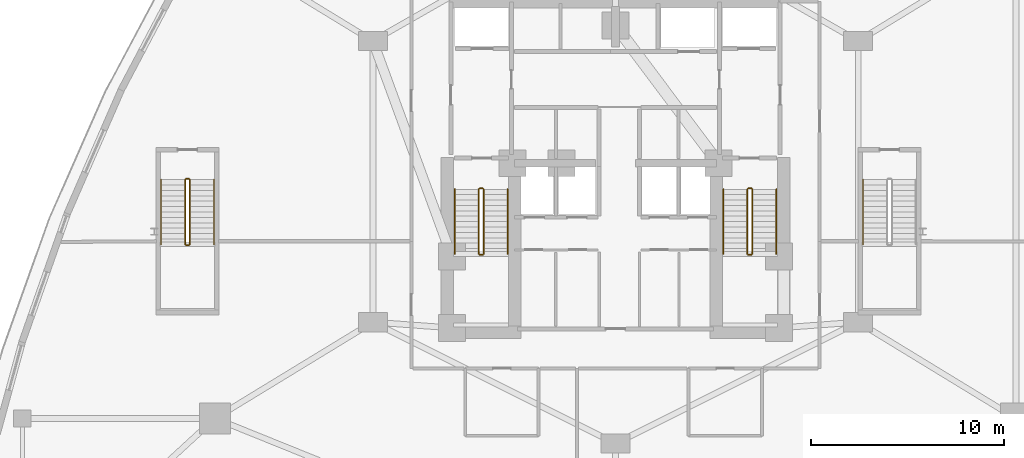
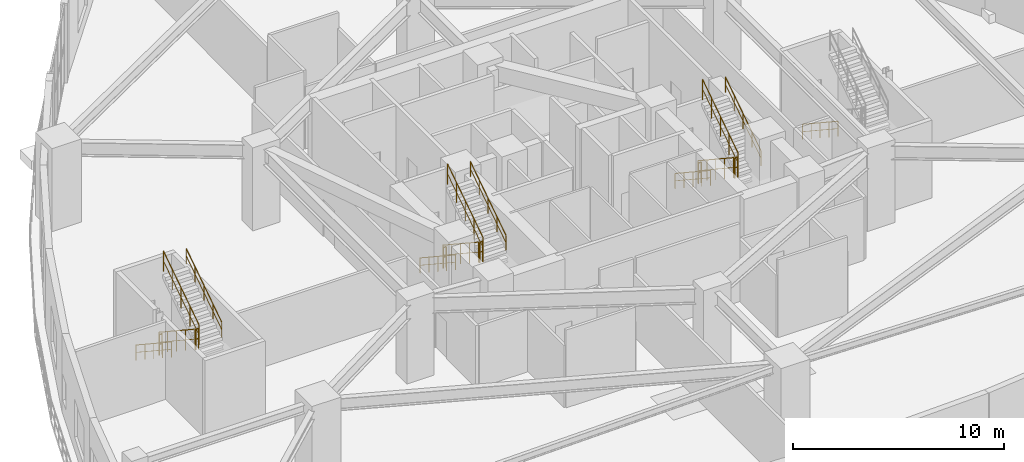
# One storey, part 20 of 23: 19 railings.
"""IFC4 building model written with IfcOpenShell, lengths in metres."""

from ifc_helpers import new_model, si_unit, direction, frame, origin, origin_2d, place, context, subcontext, project, spatial, circle, extrude, material, type_object, element, save


model = new_model("IFC4")

# Units and contexts
model_context = context("Model", 3, precision=1e-05, world=origin(), true_north=direction((0.0, 1.0)))
body_context = subcontext(model_context, "Body", "Model", "MODEL_VIEW")
ifc_project = project(units=[si_unit("LENGTHUNIT", "METRE"), si_unit("AREAUNIT", "SQUARE_METRE"), si_unit("VOLUMEUNIT", "CUBIC_METRE"), si_unit("PLANEANGLEUNIT", "RADIAN"), si_unit("MASSUNIT", "GRAM", prefix="KILO")], contexts=[model_context])

# Site, building, storey
site_placement = place(None, origin())
site = spatial("IfcSite", under=ifc_project, at=site_placement, CompositionType="ELEMENT")
building_placement = place(site_placement, origin())
building = spatial("IfcBuilding", under=site, at=building_placement, Name="Miruveldt Soraemaru", CompositionType="ELEMENT")
storey_placement = place(building_placement, frame((0.0, 0.0, 9.60009765625)))
storey = spatial("IfcBuildingStorey", under=building, at=storey_placement, Name="L03", CompositionType="ELEMENT", Elevation=9.60009765625)

# Railings
ifc_material = material(Name="Steel S355 (355 MPa)", Category="steel")
railing_type_1 = type_object("IfcRailingType", Name="RAIL-HR-900", PredefinedType="HANDRAIL", material=ifc_material)
railing_1_placement = place(storey_placement, frame((35.64990234375, 42.699951171875, 0.1845703125)))
element("IfcRailing", 1, at=railing_1_placement, inside=storey, type_object=railing_type_1, Name="L03 ST-1 stair handrail 1", PredefinedType="HANDRAIL", context=body_context, shape_type="SweptSolid", body=[
    extrude(circle(Radius=0.02392578125, at=origin_2d()), frame((0.0, 0.0, 0.8759765625), z_axis=(0.0, -0.834858096282, 0.550465220583), x_axis=(1.0, 0.0, 0.0)), (0.0, 0.0, 1.0), 4.0244140625),
    extrude(circle(Radius=0.01611328125, at=origin_2d()), frame((0.0, 0.0, 0.449951171875), z_axis=(0.0, -0.834858096282, 0.550465220583), x_axis=(1.0, 0.0, 0.0)), (0.0, 0.0, 1.0), 4.0244140625),
    extrude(circle(Radius=0.02099609375, at=origin_2d()), origin(), (0.0, 0.0, 1.0), 0.851806640625),
    extrude(circle(Radius=0.02099609375, at=origin_2d()), frame((0.0, -0.83984375, 0.5537109375)), (0.0, 0.0, 1.0), 0.851806640625),
    extrude(circle(Radius=0.02099609375, at=origin_2d()), frame((0.0, -1.679931640625, 1.107666015625)), (0.0, 0.0, 1.0), 0.851806640625),
    extrude(circle(Radius=0.02099609375, at=origin_2d()), frame((0.0, -2.52001953125, 1.66162109375)), (0.0, 0.0, 1.0), 0.851806640625),
    extrude(circle(Radius=0.02099609375, at=origin_2d()), frame((0.0, -3.35986328125, 2.21533203125)), (0.0, 0.0, 1.0), 0.851806640625),
])
railing_2_placement = place(storey_placement, frame((38.39990234375, 39.340087890625, 2.58447265625)))
element("IfcRailing", 2, at=railing_2_placement, inside=storey, type_object=railing_type_1, Name="L03 ST-1 stair handrail 2", PredefinedType="HANDRAIL", context=body_context, shape_type="SweptSolid", body=[
    extrude(circle(Radius=0.02392578125, at=origin_2d()), frame((0.0, 0.0, 0.8759765625), z_axis=(0.0, 0.834858096282, 0.550465220583), x_axis=(-1.0, 0.0, 0.0)), (0.0, 0.0, 1.0), 4.0244140625),
    extrude(circle(Radius=0.01611328125, at=origin_2d()), frame((0.0, 0.0, 0.449951171875), z_axis=(0.0, 0.834858096282, 0.550465220583), x_axis=(-1.0, 0.0, 0.0)), (0.0, 0.0, 1.0), 4.0244140625),
    extrude(circle(Radius=0.02099609375, at=origin_2d()), origin(), (0.0, 0.0, 1.0), 0.851806640625),
    extrude(circle(Radius=0.02099609375, at=origin_2d()), frame((0.0, 0.83984375, 0.5537109375)), (0.0, 0.0, 1.0), 0.851806640625),
    extrude(circle(Radius=0.02099609375, at=origin_2d()), frame((0.0, 1.679931640625, 1.107666015625)), (0.0, 0.0, 1.0), 0.851806640625),
    extrude(circle(Radius=0.02099609375, at=origin_2d()), frame((0.0, 2.52001953125, 1.66162109375)), (0.0, 0.0, 1.0), 0.851806640625),
    extrude(circle(Radius=0.02099609375, at=origin_2d()), frame((0.0, 3.35986328125, 2.21533203125)), (0.0, 0.0, 1.0), 0.851806640625),
])
railing_3_placement = place(storey_placement, frame((49.60009765625, 42.699951171875, 0.1845703125)))
element("IfcRailing", 3, at=railing_3_placement, inside=storey, type_object=railing_type_1, Name="L03 ST-2 stair handrail 1", PredefinedType="HANDRAIL", context=body_context, shape_type="SweptSolid", body=[
    extrude(circle(Radius=0.02392578125, at=origin_2d()), frame((0.0, 0.0, 0.8759765625), z_axis=(0.0, -0.834858096282, 0.550465220583), x_axis=(1.0, 0.0, 0.0)), (0.0, 0.0, 1.0), 4.0244140625),
    extrude(circle(Radius=0.01611328125, at=origin_2d()), frame((0.0, 0.0, 0.449951171875), z_axis=(0.0, -0.834858096282, 0.550465220583), x_axis=(1.0, 0.0, 0.0)), (0.0, 0.0, 1.0), 4.0244140625),
    extrude(circle(Radius=0.02099609375, at=origin_2d()), origin(), (0.0, 0.0, 1.0), 0.851806640625),
    extrude(circle(Radius=0.02099609375, at=origin_2d()), frame((0.0, -0.83984375, 0.5537109375)), (0.0, 0.0, 1.0), 0.851806640625),
    extrude(circle(Radius=0.02099609375, at=origin_2d()), frame((0.0, -1.679931640625, 1.107666015625)), (0.0, 0.0, 1.0), 0.851806640625),
    extrude(circle(Radius=0.02099609375, at=origin_2d()), frame((0.0, -2.52001953125, 1.66162109375)), (0.0, 0.0, 1.0), 0.851806640625),
    extrude(circle(Radius=0.02099609375, at=origin_2d()), frame((0.0, -3.35986328125, 2.21533203125)), (0.0, 0.0, 1.0), 0.851806640625),
])
railing_4_placement = place(storey_placement, frame((52.35009765625, 39.340087890625, 2.58447265625)))
element("IfcRailing", 4, at=railing_4_placement, inside=storey, type_object=railing_type_1, Name="L03 ST-2 stair handrail 2", PredefinedType="HANDRAIL", context=body_context, shape_type="SweptSolid", body=[
    extrude(circle(Radius=0.02392578125, at=origin_2d()), frame((0.0, 0.0, 0.8759765625), z_axis=(0.0, 0.834858096282, 0.550465220583), x_axis=(-1.0, 0.0, 0.0)), (0.0, 0.0, 1.0), 4.0244140625),
    extrude(circle(Radius=0.01611328125, at=origin_2d()), frame((0.0, 0.0, 0.449951171875), z_axis=(0.0, 0.834858096282, 0.550465220583), x_axis=(-1.0, 0.0, 0.0)), (0.0, 0.0, 1.0), 4.0244140625),
    extrude(circle(Radius=0.02099609375, at=origin_2d()), origin(), (0.0, 0.0, 1.0), 0.851806640625),
    extrude(circle(Radius=0.02099609375, at=origin_2d()), frame((0.0, 0.83984375, 0.5537109375)), (0.0, 0.0, 1.0), 0.851806640625),
    extrude(circle(Radius=0.02099609375, at=origin_2d()), frame((0.0, 1.679931640625, 1.107666015625)), (0.0, 0.0, 1.0), 0.851806640625),
    extrude(circle(Radius=0.02099609375, at=origin_2d()), frame((0.0, 2.52001953125, 1.66162109375)), (0.0, 0.0, 1.0), 0.851806640625),
    extrude(circle(Radius=0.02099609375, at=origin_2d()), frame((0.0, 3.35986328125, 2.21533203125)), (0.0, 0.0, 1.0), 0.851806640625),
])
railing_5_placement = place(storey_placement, frame((20.39990234375, 43.199951171875, 0.1845703125)))
element("IfcRailing", 5, at=railing_5_placement, inside=storey, type_object=railing_type_1, Name="L03 ST-3 stair handrail 1", PredefinedType="HANDRAIL", context=body_context, shape_type="SweptSolid", body=[
    extrude(circle(Radius=0.02392578125, at=origin_2d()), frame((0.0, 0.0, 0.8759765625), z_axis=(0.0, -0.834858096282, 0.550465220583), x_axis=(1.0, 0.0, 0.0)), (0.0, 0.0, 1.0), 4.0244140625),
    extrude(circle(Radius=0.01611328125, at=origin_2d()), frame((0.0, 0.0, 0.449951171875), z_axis=(0.0, -0.834858096282, 0.550465220583), x_axis=(1.0, 0.0, 0.0)), (0.0, 0.0, 1.0), 4.0244140625),
    extrude(circle(Radius=0.02099609375, at=origin_2d()), origin(), (0.0, 0.0, 1.0), 0.851806640625),
    extrude(circle(Radius=0.02099609375, at=origin_2d()), frame((0.0, -0.83984375, 0.5537109375)), (0.0, 0.0, 1.0), 0.851806640625),
    extrude(circle(Radius=0.02099609375, at=origin_2d()), frame((0.0, -1.679931640625, 1.107666015625)), (0.0, 0.0, 1.0), 0.851806640625),
    extrude(circle(Radius=0.02099609375, at=origin_2d()), frame((0.0, -2.52001953125, 1.66162109375)), (0.0, 0.0, 1.0), 0.851806640625),
    extrude(circle(Radius=0.02099609375, at=origin_2d()), frame((0.0, -3.35986328125, 2.21533203125)), (0.0, 0.0, 1.0), 0.851806640625),
])
railing_6_placement = place(storey_placement, frame((23.14990234375, 39.840087890625, 2.58447265625)))
element("IfcRailing", 6, at=railing_6_placement, inside=storey, type_object=railing_type_1, Name="L03 ST-3 stair handrail 2", PredefinedType="HANDRAIL", context=body_context, shape_type="SweptSolid", body=[
    extrude(circle(Radius=0.02392578125, at=origin_2d()), frame((0.0, 0.0, 0.8759765625), z_axis=(0.0, 0.834858096282, 0.550465220583), x_axis=(-1.0, 0.0, 0.0)), (0.0, 0.0, 1.0), 4.0244140625),
    extrude(circle(Radius=0.01611328125, at=origin_2d()), frame((0.0, 0.0, 0.449951171875), z_axis=(0.0, 0.834858096282, 0.550465220583), x_axis=(-1.0, 0.0, 0.0)), (0.0, 0.0, 1.0), 4.0244140625),
    extrude(circle(Radius=0.02099609375, at=origin_2d()), origin(), (0.0, 0.0, 1.0), 0.851806640625),
    extrude(circle(Radius=0.02099609375, at=origin_2d()), frame((0.0, 0.83984375, 0.5537109375)), (0.0, 0.0, 1.0), 0.851806640625),
    extrude(circle(Radius=0.02099609375, at=origin_2d()), frame((0.0, 1.679931640625, 1.107666015625)), (0.0, 0.0, 1.0), 0.851806640625),
    extrude(circle(Radius=0.02099609375, at=origin_2d()), frame((0.0, 2.52001953125, 1.66162109375)), (0.0, 0.0, 1.0), 0.851806640625),
    extrude(circle(Radius=0.02099609375, at=origin_2d()), frame((0.0, 3.35986328125, 2.21533203125)), (0.0, 0.0, 1.0), 0.851806640625),
])
railing_7_placement = place(storey_placement, frame((56.85009765625, 43.199951171875, 0.1845703125)))
element("IfcRailing", 7, at=railing_7_placement, inside=storey, type_object=railing_type_1, Name="L03 ST-4 stair handrail 1", PredefinedType="HANDRAIL", context=body_context, shape_type="SweptSolid", body=[
    extrude(circle(Radius=0.02392578125, at=origin_2d()), frame((0.0, 0.0, 0.8759765625), z_axis=(0.0, -0.834858096282, 0.550465220583), x_axis=(1.0, 0.0, 0.0)), (0.0, 0.0, 1.0), 4.0244140625),
    extrude(circle(Radius=0.01611328125, at=origin_2d()), frame((0.0, 0.0, 0.449951171875), z_axis=(0.0, -0.834858096282, 0.550465220583), x_axis=(1.0, 0.0, 0.0)), (0.0, 0.0, 1.0), 4.0244140625),
    extrude(circle(Radius=0.02099609375, at=origin_2d()), origin(), (0.0, 0.0, 1.0), 0.851806640625),
    extrude(circle(Radius=0.02099609375, at=origin_2d()), frame((0.0, -0.83984375, 0.5537109375)), (0.0, 0.0, 1.0), 0.851806640625),
    extrude(circle(Radius=0.02099609375, at=origin_2d()), frame((0.0, -1.679931640625, 1.107666015625)), (0.0, 0.0, 1.0), 0.851806640625),
    extrude(circle(Radius=0.02099609375, at=origin_2d()), frame((0.0, -2.52001953125, 1.66162109375)), (0.0, 0.0, 1.0), 0.851806640625),
    extrude(circle(Radius=0.02099609375, at=origin_2d()), frame((0.0, -3.35986328125, 2.21533203125)), (0.0, 0.0, 1.0), 0.851806640625),
])
railing_type_2 = type_object("IfcRailingType", Name="RAIL-STGUARD-1200", PredefinedType="GUARDRAIL", material=ifc_material)
railing_8_placement = place(storey_placement, frame((36.89990234375, 42.699951171875, 0.1845703125)))
element("IfcRailing", 8, at=railing_8_placement, inside=storey, type_object=railing_type_2, Name="L03 ST-1 stair guard 1", PredefinedType="GUARDRAIL", context=body_context, shape_type="SweptSolid", body=[
    extrude(circle(Radius=0.02392578125, at=origin_2d()), frame((0.0, 0.0, 1.17578125), z_axis=(0.0, -0.834858096282, 0.550465220583), x_axis=(1.0, 0.0, 0.0)), (0.0, 0.0, 1.0), 4.0244140625),
    extrude(circle(Radius=0.01611328125, at=origin_2d()), frame((0.0, 0.0, 0.60009765625), z_axis=(0.0, -0.834858096282, 0.550465220583), x_axis=(1.0, 0.0, 0.0)), (0.0, 0.0, 1.0), 4.0244140625),
    extrude(circle(Radius=0.02099609375, at=origin_2d()), origin(), (0.0, 0.0, 1.0), 1.15185546875),
    extrude(circle(Radius=0.02099609375, at=origin_2d()), frame((0.0, -0.83984375, 0.5537109375)), (0.0, 0.0, 1.0), 1.15185546875),
    extrude(circle(Radius=0.02099609375, at=origin_2d()), frame((0.0, -1.679931640625, 1.107666015625)), (0.0, 0.0, 1.0), 1.15185546875),
    extrude(circle(Radius=0.02099609375, at=origin_2d()), frame((0.0, -2.52001953125, 1.66162109375)), (0.0, 0.0, 1.0), 1.15185546875),
    extrude(circle(Radius=0.02099609375, at=origin_2d()), frame((0.0, -3.35986328125, 2.21533203125)), (0.0, 0.0, 1.0), 1.15185546875),
])
railing_9_placement = place(storey_placement, frame((36.949951171875, 39.2900390625, 2.39990234375)))
element("IfcRailing", 9, at=railing_9_placement, inside=storey, type_object=railing_type_2, Name="L03 ST-1 stair guard 2", PredefinedType="GUARDRAIL", context=body_context, shape_type="SweptSolid", body=[
    extrude(circle(Radius=0.02392578125, at=origin_2d()), frame((0.0, 0.0, 1.17578125), z_axis=(1.0, 0.0, 0.0), x_axis=(0.0, 1.0, 0.0)), (0.0, 0.0, 1.0), 0.150146484375),
    extrude(circle(Radius=0.01611328125, at=origin_2d()), frame((0.0, 0.0, 0.60009765625), z_axis=(1.0, 0.0, 0.0), x_axis=(0.0, 1.0, 0.0)), (0.0, 0.0, 1.0), 0.150146484375),
    extrude(circle(Radius=0.02099609375, at=origin_2d()), origin(), (0.0, 0.0, 1.0), 1.15185546875),
    extrude(circle(Radius=0.02099609375, at=origin_2d()), frame((0.150146484375, 0.0, 0.0)), (0.0, 0.0, 1.0), 1.15185546875),
])
railing_10_placement = place(storey_placement, frame((37.14990234375, 39.340087890625, 2.58447265625)))
element("IfcRailing", 10, at=railing_10_placement, inside=storey, type_object=railing_type_2, Name="L03 ST-1 stair guard 3", PredefinedType="GUARDRAIL", context=body_context, shape_type="SweptSolid", body=[
    extrude(circle(Radius=0.02392578125, at=origin_2d()), frame((0.0, 0.0, 1.17578125), z_axis=(0.0, 0.834858096282, 0.550465220583), x_axis=(-1.0, 0.0, 0.0)), (0.0, 0.0, 1.0), 4.0244140625),
    extrude(circle(Radius=0.01611328125, at=origin_2d()), frame((0.0, 0.0, 0.60009765625), z_axis=(0.0, 0.834858096282, 0.550465220583), x_axis=(-1.0, 0.0, 0.0)), (0.0, 0.0, 1.0), 4.0244140625),
    extrude(circle(Radius=0.02099609375, at=origin_2d()), origin(), (0.0, 0.0, 1.0), 1.15185546875),
    extrude(circle(Radius=0.02099609375, at=origin_2d()), frame((0.0, 0.83984375, 0.5537109375)), (0.0, 0.0, 1.0), 1.15185546875),
    extrude(circle(Radius=0.02099609375, at=origin_2d()), frame((0.0, 1.679931640625, 1.107666015625)), (0.0, 0.0, 1.0), 1.15185546875),
    extrude(circle(Radius=0.02099609375, at=origin_2d()), frame((0.0, 2.52001953125, 1.66162109375)), (0.0, 0.0, 1.0), 1.15185546875),
    extrude(circle(Radius=0.02099609375, at=origin_2d()), frame((0.0, 3.35986328125, 2.21533203125)), (0.0, 0.0, 1.0), 1.15185546875),
])
railing_11_placement = place(storey_placement, frame((36.949951171875, 42.75, 0.0)))
element("IfcRailing", 11, at=railing_11_placement, inside=storey, type_object=railing_type_2, Name="L03 ST-1 stair guard 4", PredefinedType="GUARDRAIL", context=body_context, shape_type="SweptSolid", body=[
    extrude(circle(Radius=0.02392578125, at=origin_2d()), frame((0.0, 0.0, 1.17578125), z_axis=(1.0, 0.0, 0.0), x_axis=(0.0, 1.0, 0.0)), (0.0, 0.0, 1.0), 0.150146484375),
    extrude(circle(Radius=0.01611328125, at=origin_2d()), frame((0.0, 0.0, 0.60009765625), z_axis=(1.0, 0.0, 0.0), x_axis=(0.0, 1.0, 0.0)), (0.0, 0.0, 1.0), 0.150146484375),
    extrude(circle(Radius=0.02099609375, at=origin_2d()), origin(), (0.0, 0.0, 1.0), 1.15185546875),
    extrude(circle(Radius=0.02099609375, at=origin_2d()), frame((0.150146484375, 0.0, 0.0)), (0.0, 0.0, 1.0), 1.15185546875),
])
railing_12_placement = place(storey_placement, frame((50.85009765625, 42.699951171875, 0.1845703125)))
element("IfcRailing", 12, at=railing_12_placement, inside=storey, type_object=railing_type_2, Name="L03 ST-2 stair guard 1", PredefinedType="GUARDRAIL", context=body_context, shape_type="SweptSolid", body=[
    extrude(circle(Radius=0.02392578125, at=origin_2d()), frame((0.0, 0.0, 1.17578125), z_axis=(0.0, -0.834858096282, 0.550465220583), x_axis=(1.0, 0.0, 0.0)), (0.0, 0.0, 1.0), 4.0244140625),
    extrude(circle(Radius=0.01611328125, at=origin_2d()), frame((0.0, 0.0, 0.60009765625), z_axis=(0.0, -0.834858096282, 0.550465220583), x_axis=(1.0, 0.0, 0.0)), (0.0, 0.0, 1.0), 4.0244140625),
    extrude(circle(Radius=0.02099609375, at=origin_2d()), origin(), (0.0, 0.0, 1.0), 1.15185546875),
    extrude(circle(Radius=0.02099609375, at=origin_2d()), frame((0.0, -0.83984375, 0.5537109375)), (0.0, 0.0, 1.0), 1.15185546875),
    extrude(circle(Radius=0.02099609375, at=origin_2d()), frame((0.0, -1.679931640625, 1.107666015625)), (0.0, 0.0, 1.0), 1.15185546875),
    extrude(circle(Radius=0.02099609375, at=origin_2d()), frame((0.0, -2.52001953125, 1.66162109375)), (0.0, 0.0, 1.0), 1.15185546875),
    extrude(circle(Radius=0.02099609375, at=origin_2d()), frame((0.0, -3.35986328125, 2.21533203125)), (0.0, 0.0, 1.0), 1.15185546875),
])
railing_13_placement = place(storey_placement, frame((50.89990234375, 39.2900390625, 2.39990234375)))
element("IfcRailing", 13, at=railing_13_placement, inside=storey, type_object=railing_type_2, Name="L03 ST-2 stair guard 2", PredefinedType="GUARDRAIL", context=body_context, shape_type="SweptSolid", body=[
    extrude(circle(Radius=0.02392578125, at=origin_2d()), frame((0.0, 0.0, 1.17578125), z_axis=(1.0, 0.0, 0.0), x_axis=(0.0, 1.0, 0.0)), (0.0, 0.0, 1.0), 0.150146484375),
    extrude(circle(Radius=0.01611328125, at=origin_2d()), frame((0.0, 0.0, 0.60009765625), z_axis=(1.0, 0.0, 0.0), x_axis=(0.0, 1.0, 0.0)), (0.0, 0.0, 1.0), 0.150146484375),
    extrude(circle(Radius=0.02099609375, at=origin_2d()), origin(), (0.0, 0.0, 1.0), 1.15185546875),
    extrude(circle(Radius=0.02099609375, at=origin_2d()), frame((0.150146484375, 0.0, 0.0)), (0.0, 0.0, 1.0), 1.15185546875),
])
railing_14_placement = place(storey_placement, frame((51.10009765625, 39.340087890625, 2.58447265625)))
element("IfcRailing", 14, at=railing_14_placement, inside=storey, type_object=railing_type_2, Name="L03 ST-2 stair guard 3", PredefinedType="GUARDRAIL", context=body_context, shape_type="SweptSolid", body=[
    extrude(circle(Radius=0.02392578125, at=origin_2d()), frame((0.0, 0.0, 1.17578125), z_axis=(0.0, 0.834858096282, 0.550465220583), x_axis=(-1.0, 0.0, 0.0)), (0.0, 0.0, 1.0), 4.0244140625),
    extrude(circle(Radius=0.01611328125, at=origin_2d()), frame((0.0, 0.0, 0.60009765625), z_axis=(0.0, 0.834858096282, 0.550465220583), x_axis=(-1.0, 0.0, 0.0)), (0.0, 0.0, 1.0), 4.0244140625),
    extrude(circle(Radius=0.02099609375, at=origin_2d()), origin(), (0.0, 0.0, 1.0), 1.15185546875),
    extrude(circle(Radius=0.02099609375, at=origin_2d()), frame((0.0, 0.83984375, 0.5537109375)), (0.0, 0.0, 1.0), 1.15185546875),
    extrude(circle(Radius=0.02099609375, at=origin_2d()), frame((0.0, 1.679931640625, 1.107666015625)), (0.0, 0.0, 1.0), 1.15185546875),
    extrude(circle(Radius=0.02099609375, at=origin_2d()), frame((0.0, 2.52001953125, 1.66162109375)), (0.0, 0.0, 1.0), 1.15185546875),
    extrude(circle(Radius=0.02099609375, at=origin_2d()), frame((0.0, 3.35986328125, 2.21533203125)), (0.0, 0.0, 1.0), 1.15185546875),
])
railing_15_placement = place(storey_placement, frame((50.89990234375, 42.75, 0.0)))
element("IfcRailing", 15, at=railing_15_placement, inside=storey, type_object=railing_type_2, Name="L03 ST-2 stair guard 4", PredefinedType="GUARDRAIL", context=body_context, shape_type="SweptSolid", body=[
    extrude(circle(Radius=0.02392578125, at=origin_2d()), frame((0.0, 0.0, 1.17578125), z_axis=(1.0, 0.0, 0.0), x_axis=(0.0, 1.0, 0.0)), (0.0, 0.0, 1.0), 0.150146484375),
    extrude(circle(Radius=0.01611328125, at=origin_2d()), frame((0.0, 0.0, 0.60009765625), z_axis=(1.0, 0.0, 0.0), x_axis=(0.0, 1.0, 0.0)), (0.0, 0.0, 1.0), 0.150146484375),
    extrude(circle(Radius=0.02099609375, at=origin_2d()), origin(), (0.0, 0.0, 1.0), 1.15185546875),
    extrude(circle(Radius=0.02099609375, at=origin_2d()), frame((0.150146484375, 0.0, 0.0)), (0.0, 0.0, 1.0), 1.15185546875),
])
railing_16_placement = place(storey_placement, frame((21.64990234375, 43.199951171875, 0.1845703125)))
element("IfcRailing", 16, at=railing_16_placement, inside=storey, type_object=railing_type_2, Name="L03 ST-3 stair guard 1", PredefinedType="GUARDRAIL", context=body_context, shape_type="SweptSolid", body=[
    extrude(circle(Radius=0.02392578125, at=origin_2d()), frame((0.0, 0.0, 1.17578125), z_axis=(0.0, -0.834858096282, 0.550465220583), x_axis=(1.0, 0.0, 0.0)), (0.0, 0.0, 1.0), 4.0244140625),
    extrude(circle(Radius=0.01611328125, at=origin_2d()), frame((0.0, 0.0, 0.60009765625), z_axis=(0.0, -0.834858096282, 0.550465220583), x_axis=(1.0, 0.0, 0.0)), (0.0, 0.0, 1.0), 4.0244140625),
    extrude(circle(Radius=0.02099609375, at=origin_2d()), origin(), (0.0, 0.0, 1.0), 1.15185546875),
    extrude(circle(Radius=0.02099609375, at=origin_2d()), frame((0.0, -0.83984375, 0.5537109375)), (0.0, 0.0, 1.0), 1.15185546875),
    extrude(circle(Radius=0.02099609375, at=origin_2d()), frame((0.0, -1.679931640625, 1.107666015625)), (0.0, 0.0, 1.0), 1.15185546875),
    extrude(circle(Radius=0.02099609375, at=origin_2d()), frame((0.0, -2.52001953125, 1.66162109375)), (0.0, 0.0, 1.0), 1.15185546875),
    extrude(circle(Radius=0.02099609375, at=origin_2d()), frame((0.0, -3.35986328125, 2.21533203125)), (0.0, 0.0, 1.0), 1.15185546875),
])
railing_17_placement = place(storey_placement, frame((21.699951171875, 39.7900390625, 2.39990234375)))
element("IfcRailing", 17, at=railing_17_placement, inside=storey, type_object=railing_type_2, Name="L03 ST-3 stair guard 2", PredefinedType="GUARDRAIL", context=body_context, shape_type="SweptSolid", body=[
    extrude(circle(Radius=0.02392578125, at=origin_2d()), frame((0.0, 0.0, 1.17578125), z_axis=(1.0, 0.0, 0.0), x_axis=(0.0, 1.0, 0.0)), (0.0, 0.0, 1.0), 0.150146484375),
    extrude(circle(Radius=0.01611328125, at=origin_2d()), frame((0.0, 0.0, 0.60009765625), z_axis=(1.0, 0.0, 0.0), x_axis=(0.0, 1.0, 0.0)), (0.0, 0.0, 1.0), 0.150146484375),
    extrude(circle(Radius=0.02099609375, at=origin_2d()), origin(), (0.0, 0.0, 1.0), 1.15185546875),
    extrude(circle(Radius=0.02099609375, at=origin_2d()), frame((0.150146484375, 0.0, 0.0)), (0.0, 0.0, 1.0), 1.15185546875),
])
railing_18_placement = place(storey_placement, frame((21.89990234375, 39.840087890625, 2.58447265625)))
element("IfcRailing", 18, at=railing_18_placement, inside=storey, type_object=railing_type_2, Name="L03 ST-3 stair guard 3", PredefinedType="GUARDRAIL", context=body_context, shape_type="SweptSolid", body=[
    extrude(circle(Radius=0.02392578125, at=origin_2d()), frame((0.0, 0.0, 1.17578125), z_axis=(0.0, 0.834858096282, 0.550465220583), x_axis=(-1.0, 0.0, 0.0)), (0.0, 0.0, 1.0), 4.0244140625),
    extrude(circle(Radius=0.01611328125, at=origin_2d()), frame((0.0, 0.0, 0.60009765625), z_axis=(0.0, 0.834858096282, 0.550465220583), x_axis=(-1.0, 0.0, 0.0)), (0.0, 0.0, 1.0), 4.0244140625),
    extrude(circle(Radius=0.02099609375, at=origin_2d()), origin(), (0.0, 0.0, 1.0), 1.15185546875),
    extrude(circle(Radius=0.02099609375, at=origin_2d()), frame((0.0, 0.83984375, 0.5537109375)), (0.0, 0.0, 1.0), 1.15185546875),
    extrude(circle(Radius=0.02099609375, at=origin_2d()), frame((0.0, 1.679931640625, 1.107666015625)), (0.0, 0.0, 1.0), 1.15185546875),
    extrude(circle(Radius=0.02099609375, at=origin_2d()), frame((0.0, 2.52001953125, 1.66162109375)), (0.0, 0.0, 1.0), 1.15185546875),
    extrude(circle(Radius=0.02099609375, at=origin_2d()), frame((0.0, 3.35986328125, 2.21533203125)), (0.0, 0.0, 1.0), 1.15185546875),
])
railing_19_placement = place(storey_placement, frame((21.699951171875, 43.25, 0.0)))
element("IfcRailing", 19, at=railing_19_placement, inside=storey, type_object=railing_type_2, Name="L03 ST-3 stair guard 4", PredefinedType="GUARDRAIL", context=body_context, shape_type="SweptSolid", body=[
    extrude(circle(Radius=0.02392578125, at=origin_2d()), frame((0.0, 0.0, 1.17578125), z_axis=(1.0, 0.0, 0.0), x_axis=(0.0, 1.0, 0.0)), (0.0, 0.0, 1.0), 0.150146484375),
    extrude(circle(Radius=0.01611328125, at=origin_2d()), frame((0.0, 0.0, 0.60009765625), z_axis=(1.0, 0.0, 0.0), x_axis=(0.0, 1.0, 0.0)), (0.0, 0.0, 1.0), 0.150146484375),
    extrude(circle(Radius=0.02099609375, at=origin_2d()), origin(), (0.0, 0.0, 1.0), 1.15185546875),
    extrude(circle(Radius=0.02099609375, at=origin_2d()), frame((0.150146484375, 0.0, 0.0)), (0.0, 0.0, 1.0), 1.15185546875),
])

save(model, "model.ifc")
